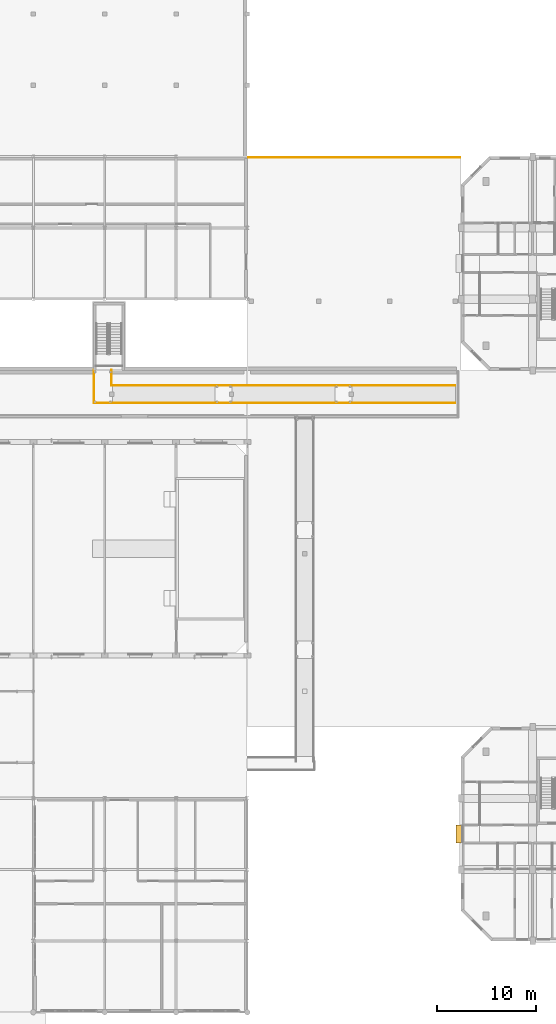
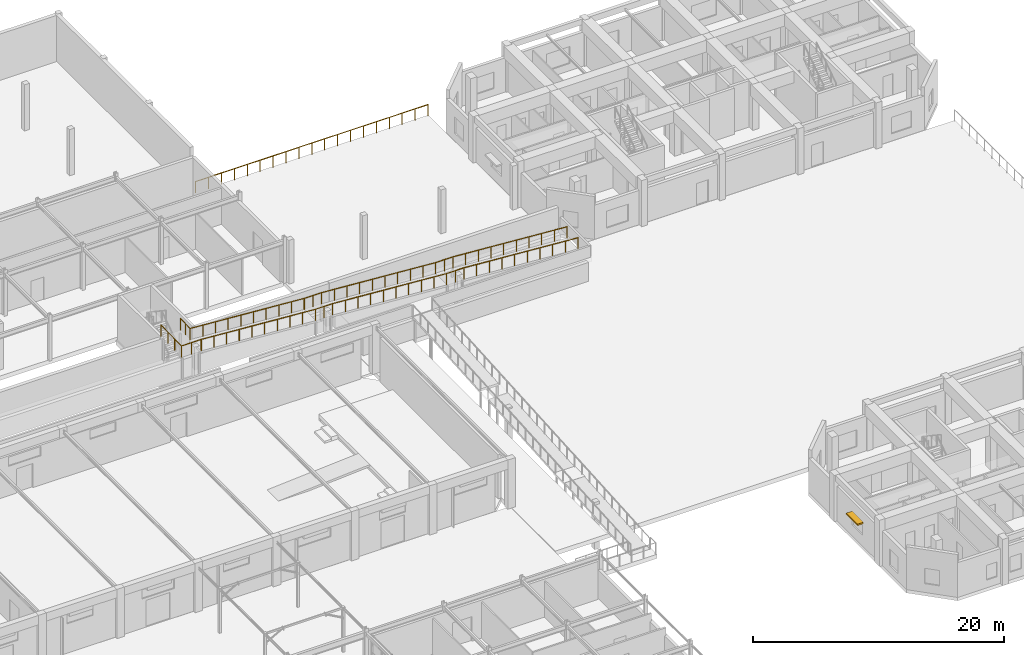
# One storey, part 81 of 85: 3 railings, 1 shading device.
"""IFC4 building model written with IfcOpenShell, lengths in metres."""

from ifc_helpers import new_model, si_unit, direction, frame, origin, origin_2d, place, context, subcontext, project, spatial, rectangle, circle, extrude, material, type_object, element, save


model = new_model("IFC4")

# Units and contexts
model_context = context("Model", 3, precision=1e-05, world=origin(), true_north=direction((0.0, 1.0)))
body_context = subcontext(model_context, "Body", "Model", "MODEL_VIEW")
ifc_project = project(units=[si_unit("LENGTHUNIT", "METRE"), si_unit("AREAUNIT", "SQUARE_METRE"), si_unit("VOLUMEUNIT", "CUBIC_METRE"), si_unit("PLANEANGLEUNIT", "RADIAN"), si_unit("MASSUNIT", "GRAM", prefix="KILO")], contexts=[model_context])

# Site, building, storey
site_placement = place(None, origin())
site = spatial("IfcSite", under=ifc_project, at=site_placement, CompositionType="ELEMENT")
building_placement = place(site_placement, origin())
building = spatial("IfcBuilding", under=site, at=building_placement, Name="Ochrevale Crest", CompositionType="ELEMENT")
storey_placement = place(building_placement, origin())
storey = spatial("IfcBuildingStorey", under=building, at=storey_placement, Name="L00", CompositionType="ELEMENT", Elevation=0.0)

# Railings
ifc_material_1 = material(Name="Galvanised steel", Category="steel")
railing_type = type_object("IfcRailingType", Name="RL-TER-1120", PredefinedType="BALUSTRADE", material=ifc_material_1)
railing_1_placement = place(storey_placement, frame((108.10009765625, 93.52001953125, 0.0)))
element("IfcRailing", 1, at=railing_1_placement, inside=storey, type_object=railing_type, Name="East courtyard plaza north balustrade", PredefinedType="BALUSTRADE", context=body_context, shape_type="SweptSolid", body=[
    extrude(circle(Radius=0.02392578125, at=origin_2d()), frame((0.0, 0.0, 1.09619140625), z_axis=(1.0, 0.0, 0.0), x_axis=(0.0, 1.0, 0.0)), (0.0, 0.0, 1.0), 21.39990234375),
    extrude(circle(Radius=0.02099609375, at=origin_2d()), origin(), (0.0, 0.0, 1.0), 1.072021484375),
    extrude(circle(Radius=0.02099609375, at=origin_2d()), frame((1.18896484375, 0.0, 0.0)), (0.0, 0.0, 1.0), 1.072021484375),
    extrude(circle(Radius=0.02099609375, at=origin_2d()), frame((2.377685546875, 0.0, 0.0)), (0.0, 0.0, 1.0), 1.072021484375),
    extrude(circle(Radius=0.02099609375, at=origin_2d()), frame((3.566650390625, 0.0, 0.0)), (0.0, 0.0, 1.0), 1.072021484375),
    extrude(circle(Radius=0.02099609375, at=origin_2d()), frame((4.755615234375, 0.0, 0.0)), (0.0, 0.0, 1.0), 1.072021484375),
    extrude(circle(Radius=0.02099609375, at=origin_2d()), frame((5.9443359375, 0.0, 0.0)), (0.0, 0.0, 1.0), 1.072021484375),
    extrude(circle(Radius=0.02099609375, at=origin_2d()), frame((7.13330078125, 0.0, 0.0)), (0.0, 0.0, 1.0), 1.072021484375),
    extrude(circle(Radius=0.02099609375, at=origin_2d()), frame((8.322265625, 0.0, 0.0)), (0.0, 0.0, 1.0), 1.072021484375),
    extrude(circle(Radius=0.02099609375, at=origin_2d()), frame((9.510986328125, 0.0, 0.0)), (0.0, 0.0, 1.0), 1.072021484375),
    extrude(circle(Radius=0.02099609375, at=origin_2d()), frame((10.699951171875, 0.0, 0.0)), (0.0, 0.0, 1.0), 1.072021484375),
    extrude(circle(Radius=0.02099609375, at=origin_2d()), frame((11.888916015625, 0.0, 0.0)), (0.0, 0.0, 1.0), 1.072021484375),
    extrude(circle(Radius=0.02099609375, at=origin_2d()), frame((13.07763671875, 0.0, 0.0)), (0.0, 0.0, 1.0), 1.072021484375),
    extrude(circle(Radius=0.02099609375, at=origin_2d()), frame((14.2666015625, 0.0, 0.0)), (0.0, 0.0, 1.0), 1.072021484375),
    extrude(circle(Radius=0.02099609375, at=origin_2d()), frame((15.45556640625, 0.0, 0.0)), (0.0, 0.0, 1.0), 1.072021484375),
    extrude(circle(Radius=0.02099609375, at=origin_2d()), frame((16.644287109375, 0.0, 0.0)), (0.0, 0.0, 1.0), 1.072021484375),
    extrude(circle(Radius=0.02099609375, at=origin_2d()), frame((17.833251953125, 0.0, 0.0)), (0.0, 0.0, 1.0), 1.072021484375),
    extrude(circle(Radius=0.02099609375, at=origin_2d()), frame((19.022216796875, 0.0, 0.0)), (0.0, 0.0, 1.0), 1.072021484375),
    extrude(circle(Radius=0.02099609375, at=origin_2d()), frame((20.2109375, 0.0, 0.0)), (0.0, 0.0, 1.0), 1.072021484375),
    extrude(circle(Radius=0.02099609375, at=origin_2d()), frame((21.39990234375, 0.0, 0.0)), (0.0, 0.0, 1.0), 1.072021484375),
])
railing_2_placement = place(storey_placement, frame((129.0, 68.719970703125, 2.25)))
element("IfcRailing", 2, at=railing_2_placement, inside=storey, type_object=railing_type, Name="Accessible ramp E2 south guard", PredefinedType="BALUSTRADE", context=body_context, shape_type="SweptSolid", body=[
    extrude(circle(Radius=0.02392578125, at=origin_2d()), frame((0.0, 0.0, 1.09619140625), z_axis=(-0.997458699831, 0.0, 0.071247049988), x_axis=(0.0, -1.0, 0.0)), (0.0, 0.0, 1.0), 10.52685546875),
    extrude(circle(Radius=0.02392578125, at=origin_2d()), frame((-10.5, 0.0, 1.84619140625), z_axis=(-1.0, 0.0, 0.0), x_axis=(0.0, -1.0, 0.0)), (0.0, 0.0, 1.0), 1.60009765625),
    extrude(circle(Radius=0.02392578125, at=origin_2d()), frame((-12.10009765625, 0.0, 1.84619140625), z_axis=(-0.997458699831, 0.0, 0.071247049988), x_axis=(0.0, -1.0, 0.0)), (0.0, 0.0, 1.0), 10.52685546875),
    extrude(circle(Radius=0.02392578125, at=origin_2d()), frame((-22.60009765625, 0.0, 2.59619140625), z_axis=(-1.0, 0.0, 0.0), x_axis=(0.0, -1.0, 0.0)), (0.0, 0.0, 1.0), 1.599853515625),
    extrude(circle(Radius=0.02392578125, at=origin_2d()), frame((-24.199951171875, 0.0, 2.59619140625), z_axis=(-0.997458699831, 0.0, 0.071247049988), x_axis=(0.0, -1.0, 0.0)), (0.0, 0.0, 1.0), 10.52685546875),
    extrude(circle(Radius=0.02392578125, at=origin_2d()), frame((-34.699951171875, 0.0, 3.34619140625), z_axis=(-1.0, 0.0, 0.0), x_axis=(0.0, -1.0, 0.0)), (0.0, 0.0, 1.0), 1.800048828125),
    extrude(circle(Radius=0.02392578125, at=origin_2d()), frame((-36.5, 0.0, 3.34619140625), z_axis=(0.0, 1.0, 0.0), x_axis=(-1.0, 0.0, 0.0)), (0.0, 0.0, 1.0), 3.330078125),
    extrude(circle(Radius=0.02099609375, at=origin_2d()), origin(), (0.0, 0.0, 1.0), 1.072021484375),
    extrude(circle(Radius=0.02099609375, at=origin_2d()), frame((-1.166748046875, 0.0, 0.083251953125)), (0.0, 0.0, 1.0), 1.072021484375),
    extrude(circle(Radius=0.02099609375, at=origin_2d()), frame((-2.333251953125, 0.0, 0.166748046875)), (0.0, 0.0, 1.0), 1.072021484375),
    extrude(circle(Radius=0.02099609375, at=origin_2d()), frame((-3.5, 0.0, 0.25)), (0.0, 0.0, 1.0), 1.072021484375),
    extrude(circle(Radius=0.02099609375, at=origin_2d()), frame((-4.666748046875, 0.0, 0.333251953125)), (0.0, 0.0, 1.0), 1.072021484375),
    extrude(circle(Radius=0.02099609375, at=origin_2d()), frame((-5.833251953125, 0.0, 0.416748046875)), (0.0, 0.0, 1.0), 1.072021484375),
    extrude(circle(Radius=0.02099609375, at=origin_2d()), frame((-7.0, 0.0, 0.5)), (0.0, 0.0, 1.0), 1.072021484375),
    extrude(circle(Radius=0.02099609375, at=origin_2d()), frame((-8.166748046875, 0.0, 0.583251953125)), (0.0, 0.0, 1.0), 1.072021484375),
    extrude(circle(Radius=0.02099609375, at=origin_2d()), frame((-9.333251953125, 0.0, 0.666748046875)), (0.0, 0.0, 1.0), 1.072021484375),
    extrude(circle(Radius=0.02099609375, at=origin_2d()), frame((-10.5, 0.0, 0.75)), (0.0, 0.0, 1.0), 1.072021484375),
    extrude(circle(Radius=0.02099609375, at=origin_2d()), frame((-11.300048828125, 0.0, 0.75)), (0.0, 0.0, 1.0), 1.072021484375),
    extrude(circle(Radius=0.02099609375, at=origin_2d()), frame((-12.10009765625, 0.0, 0.75)), (0.0, 0.0, 1.0), 1.072021484375),
    extrude(circle(Radius=0.02099609375, at=origin_2d()), frame((-13.266845703125, 0.0, 0.833251953125)), (0.0, 0.0, 1.0), 1.072021484375),
    extrude(circle(Radius=0.02099609375, at=origin_2d()), frame((-14.433349609375, 0.0, 0.916748046875)), (0.0, 0.0, 1.0), 1.072021484375),
    extrude(circle(Radius=0.02099609375, at=origin_2d()), frame((-15.60009765625, 0.0, 1.0)), (0.0, 0.0, 1.0), 1.072021484375),
    extrude(circle(Radius=0.02099609375, at=origin_2d()), frame((-16.766845703125, 0.0, 1.083251953125)), (0.0, 0.0, 1.0), 1.072021484375),
    extrude(circle(Radius=0.02099609375, at=origin_2d()), frame((-17.933349609375, 0.0, 1.166748046875)), (0.0, 0.0, 1.0), 1.072021484375),
    extrude(circle(Radius=0.02099609375, at=origin_2d()), frame((-19.10009765625, 0.0, 1.25)), (0.0, 0.0, 1.0), 1.072021484375),
    extrude(circle(Radius=0.02099609375, at=origin_2d()), frame((-20.266845703125, 0.0, 1.333251953125)), (0.0, 0.0, 1.0), 1.072021484375),
    extrude(circle(Radius=0.02099609375, at=origin_2d()), frame((-21.433349609375, 0.0, 1.416748046875)), (0.0, 0.0, 1.0), 1.072021484375),
    extrude(circle(Radius=0.02099609375, at=origin_2d()), frame((-22.60009765625, 0.0, 1.5)), (0.0, 0.0, 1.0), 1.072021484375),
    extrude(circle(Radius=0.02099609375, at=origin_2d()), frame((-23.39990234375, 0.0, 1.5)), (0.0, 0.0, 1.0), 1.072021484375),
    extrude(circle(Radius=0.02099609375, at=origin_2d()), frame((-24.199951171875, 0.0, 1.5)), (0.0, 0.0, 1.0), 1.072021484375),
    extrude(circle(Radius=0.02099609375, at=origin_2d()), frame((-25.36669921875, 0.0, 1.583251953125)), (0.0, 0.0, 1.0), 1.072021484375),
    extrude(circle(Radius=0.02099609375, at=origin_2d()), frame((-26.533203125, 0.0, 1.666748046875)), (0.0, 0.0, 1.0), 1.072021484375),
    extrude(circle(Radius=0.02099609375, at=origin_2d()), frame((-27.699951171875, 0.0, 1.75)), (0.0, 0.0, 1.0), 1.072021484375),
    extrude(circle(Radius=0.02099609375, at=origin_2d()), frame((-28.86669921875, 0.0, 1.833251953125)), (0.0, 0.0, 1.0), 1.072021484375),
    extrude(circle(Radius=0.02099609375, at=origin_2d()), frame((-30.033203125, 0.0, 1.916748046875)), (0.0, 0.0, 1.0), 1.072021484375),
    extrude(circle(Radius=0.02099609375, at=origin_2d()), frame((-31.199951171875, 0.0, 2.0)), (0.0, 0.0, 1.0), 1.072021484375),
    extrude(circle(Radius=0.02099609375, at=origin_2d()), frame((-32.36669921875, 0.0, 2.083251953125)), (0.0, 0.0, 1.0), 1.072021484375),
    extrude(circle(Radius=0.02099609375, at=origin_2d()), frame((-33.533203125, 0.0, 2.166748046875)), (0.0, 0.0, 1.0), 1.072021484375),
    extrude(circle(Radius=0.02099609375, at=origin_2d()), frame((-34.699951171875, 0.0, 2.25)), (0.0, 0.0, 1.0), 1.072021484375),
    extrude(circle(Radius=0.02099609375, at=origin_2d()), frame((-35.60009765625, 0.0, 2.25)), (0.0, 0.0, 1.0), 1.072021484375),
    extrude(circle(Radius=0.02099609375, at=origin_2d()), frame((-36.5, 0.0, 2.25)), (0.0, 0.0, 1.0), 1.072021484375),
    extrude(circle(Radius=0.02099609375, at=origin_2d()), frame((-36.5, 1.110107421875, 2.25)), (0.0, 0.0, 1.0), 1.072021484375),
    extrude(circle(Radius=0.02099609375, at=origin_2d()), frame((-36.5, 2.219970703125, 2.25)), (0.0, 0.0, 1.0), 1.072021484375),
    extrude(circle(Radius=0.02099609375, at=origin_2d()), frame((-36.5, 3.330078125, 2.25)), (0.0, 0.0, 1.0), 1.072021484375),
])
railing_3_placement = place(storey_placement, frame((129.0, 70.47998046875, 2.25)))
element("IfcRailing", 3, at=railing_3_placement, inside=storey, type_object=railing_type, Name="Accessible ramp E2 north guard", PredefinedType="BALUSTRADE", context=body_context, shape_type="SweptSolid", body=[
    extrude(circle(Radius=0.02392578125, at=origin_2d()), frame((0.0, 0.0, 1.09619140625), z_axis=(-0.997458699831, 0.0, 0.071247049988), x_axis=(0.0, -1.0, 0.0)), (0.0, 0.0, 1.0), 10.52685546875),
    extrude(circle(Radius=0.02392578125, at=origin_2d()), frame((-10.5, 0.0, 1.84619140625), z_axis=(-1.0, 0.0, 0.0), x_axis=(0.0, -1.0, 0.0)), (0.0, 0.0, 1.0), 1.60009765625),
    extrude(circle(Radius=0.02392578125, at=origin_2d()), frame((-12.10009765625, 0.0, 1.84619140625), z_axis=(-0.997458699831, 0.0, 0.071247049988), x_axis=(0.0, -1.0, 0.0)), (0.0, 0.0, 1.0), 10.52685546875),
    extrude(circle(Radius=0.02392578125, at=origin_2d()), frame((-22.60009765625, 0.0, 2.59619140625), z_axis=(-1.0, 0.0, 0.0), x_axis=(0.0, -1.0, 0.0)), (0.0, 0.0, 1.0), 1.599853515625),
    extrude(circle(Radius=0.02392578125, at=origin_2d()), frame((-24.199951171875, 0.0, 2.59619140625), z_axis=(-0.997458699831, 0.0, 0.071247049988), x_axis=(0.0, -1.0, 0.0)), (0.0, 0.0, 1.0), 10.52685546875),
    extrude(circle(Radius=0.02392578125, at=origin_2d()), frame((-34.699951171875, 0.0, 3.34619140625), z_axis=(0.0, 1.0, 0.0), x_axis=(-1.0, 0.0, 0.0)), (0.0, 0.0, 1.0), 1.570068359375),
    extrude(circle(Radius=0.02099609375, at=origin_2d()), origin(), (0.0, 0.0, 1.0), 1.072021484375),
    extrude(circle(Radius=0.02099609375, at=origin_2d()), frame((-1.166748046875, 0.0, 0.083251953125)), (0.0, 0.0, 1.0), 1.072021484375),
    extrude(circle(Radius=0.02099609375, at=origin_2d()), frame((-2.333251953125, 0.0, 0.166748046875)), (0.0, 0.0, 1.0), 1.072021484375),
    extrude(circle(Radius=0.02099609375, at=origin_2d()), frame((-3.5, 0.0, 0.25)), (0.0, 0.0, 1.0), 1.072021484375),
    extrude(circle(Radius=0.02099609375, at=origin_2d()), frame((-4.666748046875, 0.0, 0.333251953125)), (0.0, 0.0, 1.0), 1.072021484375),
    extrude(circle(Radius=0.02099609375, at=origin_2d()), frame((-5.833251953125, 0.0, 0.416748046875)), (0.0, 0.0, 1.0), 1.072021484375),
    extrude(circle(Radius=0.02099609375, at=origin_2d()), frame((-7.0, 0.0, 0.5)), (0.0, 0.0, 1.0), 1.072021484375),
    extrude(circle(Radius=0.02099609375, at=origin_2d()), frame((-8.166748046875, 0.0, 0.583251953125)), (0.0, 0.0, 1.0), 1.072021484375),
    extrude(circle(Radius=0.02099609375, at=origin_2d()), frame((-9.333251953125, 0.0, 0.666748046875)), (0.0, 0.0, 1.0), 1.072021484375),
    extrude(circle(Radius=0.02099609375, at=origin_2d()), frame((-10.5, 0.0, 0.75)), (0.0, 0.0, 1.0), 1.072021484375),
    extrude(circle(Radius=0.02099609375, at=origin_2d()), frame((-11.300048828125, 0.0, 0.75)), (0.0, 0.0, 1.0), 1.072021484375),
    extrude(circle(Radius=0.02099609375, at=origin_2d()), frame((-12.10009765625, 0.0, 0.75)), (0.0, 0.0, 1.0), 1.072021484375),
    extrude(circle(Radius=0.02099609375, at=origin_2d()), frame((-13.266845703125, 0.0, 0.833251953125)), (0.0, 0.0, 1.0), 1.072021484375),
    extrude(circle(Radius=0.02099609375, at=origin_2d()), frame((-14.433349609375, 0.0, 0.916748046875)), (0.0, 0.0, 1.0), 1.072021484375),
    extrude(circle(Radius=0.02099609375, at=origin_2d()), frame((-15.60009765625, 0.0, 1.0)), (0.0, 0.0, 1.0), 1.072021484375),
    extrude(circle(Radius=0.02099609375, at=origin_2d()), frame((-16.766845703125, 0.0, 1.083251953125)), (0.0, 0.0, 1.0), 1.072021484375),
    extrude(circle(Radius=0.02099609375, at=origin_2d()), frame((-17.933349609375, 0.0, 1.166748046875)), (0.0, 0.0, 1.0), 1.072021484375),
    extrude(circle(Radius=0.02099609375, at=origin_2d()), frame((-19.10009765625, 0.0, 1.25)), (0.0, 0.0, 1.0), 1.072021484375),
    extrude(circle(Radius=0.02099609375, at=origin_2d()), frame((-20.266845703125, 0.0, 1.333251953125)), (0.0, 0.0, 1.0), 1.072021484375),
    extrude(circle(Radius=0.02099609375, at=origin_2d()), frame((-21.433349609375, 0.0, 1.416748046875)), (0.0, 0.0, 1.0), 1.072021484375),
    extrude(circle(Radius=0.02099609375, at=origin_2d()), frame((-22.60009765625, 0.0, 1.5)), (0.0, 0.0, 1.0), 1.072021484375),
    extrude(circle(Radius=0.02099609375, at=origin_2d()), frame((-23.39990234375, 0.0, 1.5)), (0.0, 0.0, 1.0), 1.072021484375),
    extrude(circle(Radius=0.02099609375, at=origin_2d()), frame((-24.199951171875, 0.0, 1.5)), (0.0, 0.0, 1.0), 1.072021484375),
    extrude(circle(Radius=0.02099609375, at=origin_2d()), frame((-25.36669921875, 0.0, 1.583251953125)), (0.0, 0.0, 1.0), 1.072021484375),
    extrude(circle(Radius=0.02099609375, at=origin_2d()), frame((-26.533203125, 0.0, 1.666748046875)), (0.0, 0.0, 1.0), 1.072021484375),
    extrude(circle(Radius=0.02099609375, at=origin_2d()), frame((-27.699951171875, 0.0, 1.75)), (0.0, 0.0, 1.0), 1.072021484375),
    extrude(circle(Radius=0.02099609375, at=origin_2d()), frame((-28.86669921875, 0.0, 1.833251953125)), (0.0, 0.0, 1.0), 1.072021484375),
    extrude(circle(Radius=0.02099609375, at=origin_2d()), frame((-30.033203125, 0.0, 1.916748046875)), (0.0, 0.0, 1.0), 1.072021484375),
    extrude(circle(Radius=0.02099609375, at=origin_2d()), frame((-31.199951171875, 0.0, 2.0)), (0.0, 0.0, 1.0), 1.072021484375),
    extrude(circle(Radius=0.02099609375, at=origin_2d()), frame((-32.36669921875, 0.0, 2.083251953125)), (0.0, 0.0, 1.0), 1.072021484375),
    extrude(circle(Radius=0.02099609375, at=origin_2d()), frame((-33.533203125, 0.0, 2.166748046875)), (0.0, 0.0, 1.0), 1.072021484375),
    extrude(circle(Radius=0.02099609375, at=origin_2d()), frame((-34.699951171875, 0.0, 2.25)), (0.0, 0.0, 1.0), 1.072021484375),
    extrude(circle(Radius=0.02099609375, at=origin_2d()), frame((-34.699951171875, 0.78515625, 2.25)), (0.0, 0.0, 1.0), 1.072021484375),
    extrude(circle(Radius=0.02099609375, at=origin_2d()), frame((-34.699951171875, 1.570068359375, 2.25)), (0.0, 0.0, 1.0), 1.072021484375),
])

# Shading device
ifc_material_2 = material(Name="Anodised aluminium 6063-T5", Category="aluminium")
shading_device_type = type_object("IfcShadingDeviceType", Name="SHD-SUNSHADE-OC", PredefinedType="USERDEFINED", material=ifc_material_2)
shading_device_placement = place(storey_placement, frame((129.360107421875, 25.199951171875, 2.2099609375), z_axis=(0.0, 0.0, 1.0), x_axis=(1.0, 0.0, 0.0)))
element("IfcShadingDevice", 4, at=shading_device_placement, inside=storey, type_object=shading_device_type, Name="Block C L00 gable window sunshade W", ObjectType="HORIZONTAL SUNSHADE", PredefinedType="USERDEFINED", context=body_context, shape_type="SweptSolid", body=[
    extrude(rectangle(XDim=0.550048828125, YDim=1.800048828125, at=origin_2d()), origin(), (0.0, 0.0, 1.0), 0.139892578125),
])

save(model, "model.ifc")
